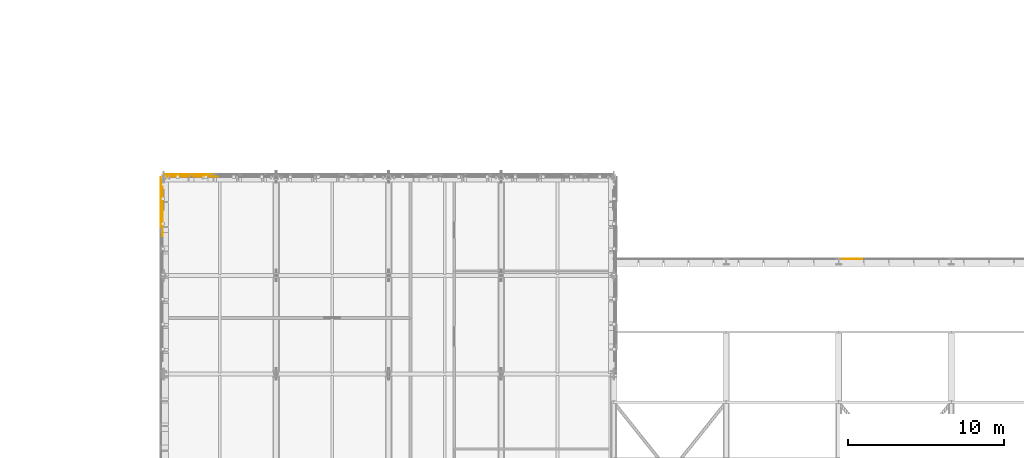
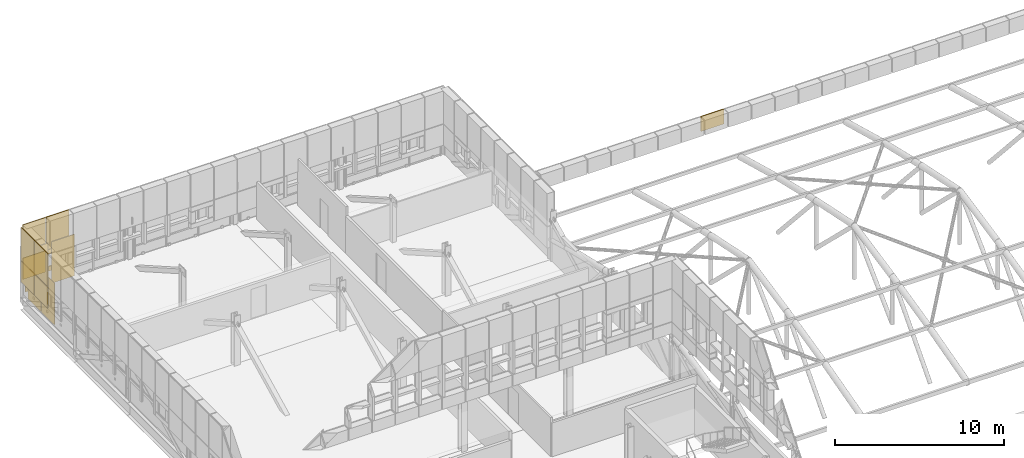
# One storey, part 87 of 96: 10 coverings, 4 shading devices.
"""IFC4 building model written with IfcOpenShell, lengths in metres."""

from ifc_helpers import new_model, si_unit, direction, frame, origin, origin_2d, place, context, subcontext, project, spatial, rectangle, extrude, material, layer, layer_set, type_object, element, save


model = new_model("IFC4")

# Units and contexts
model_context = context("Model", 3, precision=1e-05, world=origin(), true_north=direction((0.0, 1.0)))
body_context = subcontext(model_context, "Body", "Model", "MODEL_VIEW")
ifc_project = project(units=[si_unit("LENGTHUNIT", "METRE"), si_unit("AREAUNIT", "SQUARE_METRE"), si_unit("VOLUMEUNIT", "CUBIC_METRE"), si_unit("PLANEANGLEUNIT", "RADIAN"), si_unit("MASSUNIT", "GRAM", prefix="KILO")], contexts=[model_context])

# Site, building, storey
site_placement = place(None, origin())
site = spatial("IfcSite", under=ifc_project, at=site_placement, CompositionType="ELEMENT")
building_placement = place(site_placement, origin())
building = spatial("IfcBuilding", under=site, at=building_placement, Name="Yarey Park Central Fire Station", CompositionType="ELEMENT")
storey_placement = place(building_placement, frame((0.0, 0.0, 14.39990234375)))
storey = spatial("IfcBuildingStorey", under=building, at=storey_placement, Name="L04", CompositionType="ELEMENT", Elevation=14.39990234375)

# Coverings
ifc_material_1 = material(Name="Perforated Powder-Coated Aluminium Cladding", Category="aluminium")
ifc_layer_1 = layer(ifc_material_1, 0.0419921875)
ifc_layer_set_1 = layer_set([ifc_layer_1], Name="Perforated Powder-Coated Aluminium Cladding")
covering_type_1 = type_object("IfcCoveringType", Name="ENV_COV_PERF_1", PredefinedType="CLADDING", material=ifc_layer_set_1)
covering_1_placement = place(storey_placement, frame((28.639892578125, 96.611572265625, 0.864990234375), z_axis=(0.0, 0.0, 1.0), x_axis=(0.0, 1.0, 0.0)))
element("IfcCovering", 1, at=covering_1_placement, inside=storey, type_object=covering_type_1, Name="PERF_L04_0776", PredefinedType="CLADDING", context=body_context, shape_type="SweptSolid", body=[
    extrude(rectangle(XDim=1.55224609375, YDim=0.0419921875, at=origin_2d()), origin(), (0.0, 0.0, 1.0), 1.5400390625),
])
covering_2_placement = place(storey_placement, frame((28.639892578125, 96.611572265625, 2.43505859375), z_axis=(0.0, 0.0, 1.0), x_axis=(0.0, 1.0, 0.0)))
element("IfcCovering", 2, at=covering_2_placement, inside=storey, type_object=covering_type_1, Name="PERF_L04_0777", PredefinedType="CLADDING", context=body_context, shape_type="SweptSolid", body=[
    extrude(rectangle(XDim=1.55224609375, YDim=0.0419921875, at=origin_2d()), origin(), (0.0, 0.0, 1.0), 2.3701171875),
])
covering_3_placement = place(storey_placement, frame((29.60009765625, 99.159912109375, 0.864990234375), z_axis=(0.0, 0.0, 1.0), x_axis=(1.0, 0.0, 0.0)))
element("IfcCovering", 3, at=covering_3_placement, inside=storey, type_object=covering_type_1, Name="PERF_L04_0786", PredefinedType="CLADDING", context=body_context, shape_type="SweptSolid", body=[
    extrude(rectangle(XDim=1.56005859375, YDim=0.0419921875, at=origin_2d()), origin(), (0.0, 0.0, 1.0), 1.5400390625),
])
covering_4_placement = place(storey_placement, frame((29.60009765625, 99.159912109375, 2.43505859375), z_axis=(0.0, 0.0, 1.0), x_axis=(1.0, 0.0, 0.0)))
element("IfcCovering", 4, at=covering_4_placement, inside=storey, type_object=covering_type_1, Name="PERF_L04_0787", PredefinedType="CLADDING", context=body_context, shape_type="SweptSolid", body=[
    extrude(rectangle(XDim=1.56005859375, YDim=0.0419921875, at=origin_2d()), origin(), (0.0, 0.0, 1.0), 2.3701171875),
])
ifc_layer_2 = layer(ifc_material_1, 0.053955078125)
ifc_layer_set_2 = layer_set([ifc_layer_2], Name="Perforated Powder-Coated Aluminium Cladding")
covering_type_2 = type_object("IfcCoveringType", Name="ENV_COV_PERF_2", PredefinedType="CLADDING", material=ifc_layer_set_2)
covering_5_placement = place(storey_placement, frame((28.639892578125, 98.203857421875, 0.864990234375), z_axis=(0.0, 0.0, 1.0), x_axis=(0.0, 1.0, 0.0)))
element("IfcCovering", 5, at=covering_5_placement, inside=storey, type_object=covering_type_2, Name="PERF_L04_0781", PredefinedType="CLADDING", context=body_context, shape_type="SweptSolid", body=[
    extrude(rectangle(XDim=1.55224609375, YDim=0.053955078125, at=origin_2d()), origin(), (0.0, 0.0, 1.0), 1.5400390625),
])
covering_6_placement = place(storey_placement, frame((28.639892578125, 98.203857421875, 2.43505859375), z_axis=(0.0, 0.0, 1.0), x_axis=(0.0, 1.0, 0.0)))
element("IfcCovering", 6, at=covering_6_placement, inside=storey, type_object=covering_type_2, Name="PERF_L04_0782", PredefinedType="CLADDING", context=body_context, shape_type="SweptSolid", body=[
    extrude(rectangle(XDim=1.55224609375, YDim=0.053955078125, at=origin_2d()), origin(), (0.0, 0.0, 1.0), 2.3701171875),
])
for number, where, z_axis, x_axis, name in (
    (7, (31.199951171875, 99.159912109375, 0.85986328125), (0.0, 0.0, 1.0), (1.0, 0.0, 0.0), "PERF_L04_0794"),
    (8, (31.199951171875, 99.159912109375, 2.06982421875), (0.0, 0.0, 1.0), (1.0, 0.0, 0.0), "PERF_L04_0795"),
):
    element("IfcCovering", number, at=place(storey_placement, frame(where, z_axis=z_axis, x_axis=x_axis)), inside=storey, type_object=covering_type_2, Name=name, PredefinedType="CLADDING", context=body_context, shape_type="SweptSolid", body=[
        extrude(rectangle(XDim=1.56005859375, YDim=0.053955078125, at=origin_2d()), origin(), (0.0, 0.0, 1.0), 0.340087890625),
    ])
covering_7_placement = place(storey_placement, frame((31.199951171875, 99.159912109375, 2.43505859375), z_axis=(0.0, 0.0, 1.0), x_axis=(1.0, 0.0, 0.0)))
element("IfcCovering", 9, at=covering_7_placement, inside=storey, type_object=covering_type_2, Name="PERF_L04_0798", PredefinedType="CLADDING", context=body_context, shape_type="SweptSolid", body=[
    extrude(rectangle(XDim=1.56005859375, YDim=0.053955078125, at=origin_2d()), origin(), (0.0, 0.0, 1.0), 2.3701171875),
])
covering_8_placement = place(storey_placement, frame((72.800048828125, 93.760009765625, -0.28515625), z_axis=(0.0, 0.0, 1.0), x_axis=(1.0, 0.0, 0.0)))
element("IfcCovering", 10, at=covering_8_placement, inside=storey, type_object=covering_type_2, Name="PERF_L04_1605", PredefinedType="CLADDING", context=body_context, shape_type="SweptSolid", body=[
    extrude(rectangle(XDim=1.56005859375, YDim=0.053955078125, at=origin_2d()), origin(), (0.0, 0.0, 1.0), 1.070068359375),
])

# Shading devices
ifc_material_2 = material(Name="Perforated Powder-Coated Aluminium Screen", Category="aluminium")
ifc_layer_3 = layer(ifc_material_2, 0.0400390625)
ifc_layer_set_3 = layer_set([ifc_layer_3], Name="Perforated Powder-Coated Aluminium Screen")
shading_device_type = type_object("IfcShadingDeviceType", Name="ENV_SHD_SCR_2", PredefinedType="USERDEFINED", material=ifc_layer_set_3)
for number, where, z_axis, x_axis, name in (
    (11, (29.699951171875, 99.0400390625, 0.0), (0.0, 0.0, 1.0), (1.0, 0.0, 0.0), "SCR_L04_N_031"),
    (12, (31.5, 99.0400390625, 0.0), (0.0, 0.0, 1.0), (1.0, 0.0, 0.0), "SCR_L04_N_032"),
    (13, (28.739990234375, 96.0, 0.0), (0.0, 0.0, 1.0), (0.0, 1.0, 0.0), "SCR_L04_SIDE_057"),
    (14, (28.739990234375, 97.60009765625, 0.0), (0.0, 0.0, 1.0), (0.0, 1.0, 0.0), "SCR_L04_SIDE_059"),
):
    element("IfcShadingDevice", number, at=place(storey_placement, frame(where, z_axis=z_axis, x_axis=x_axis)), inside=storey, type_object=shading_device_type, Name=name, ObjectType="SCREEN", PredefinedType="USERDEFINED", context=body_context, shape_type="SweptSolid", body=[
        extrude(rectangle(XDim=1.56005859375, YDim=0.0400390625, at=origin_2d()), origin(), (0.0, 0.0, 1.0), 3.0),
    ])

save(model, "model.ifc")
